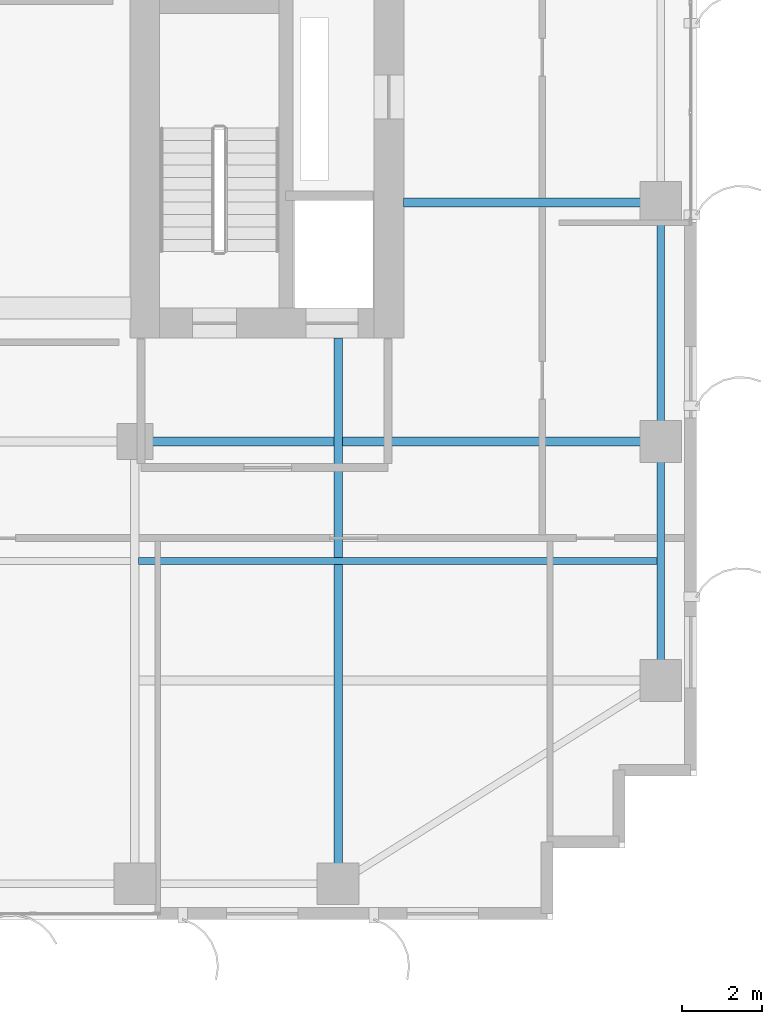
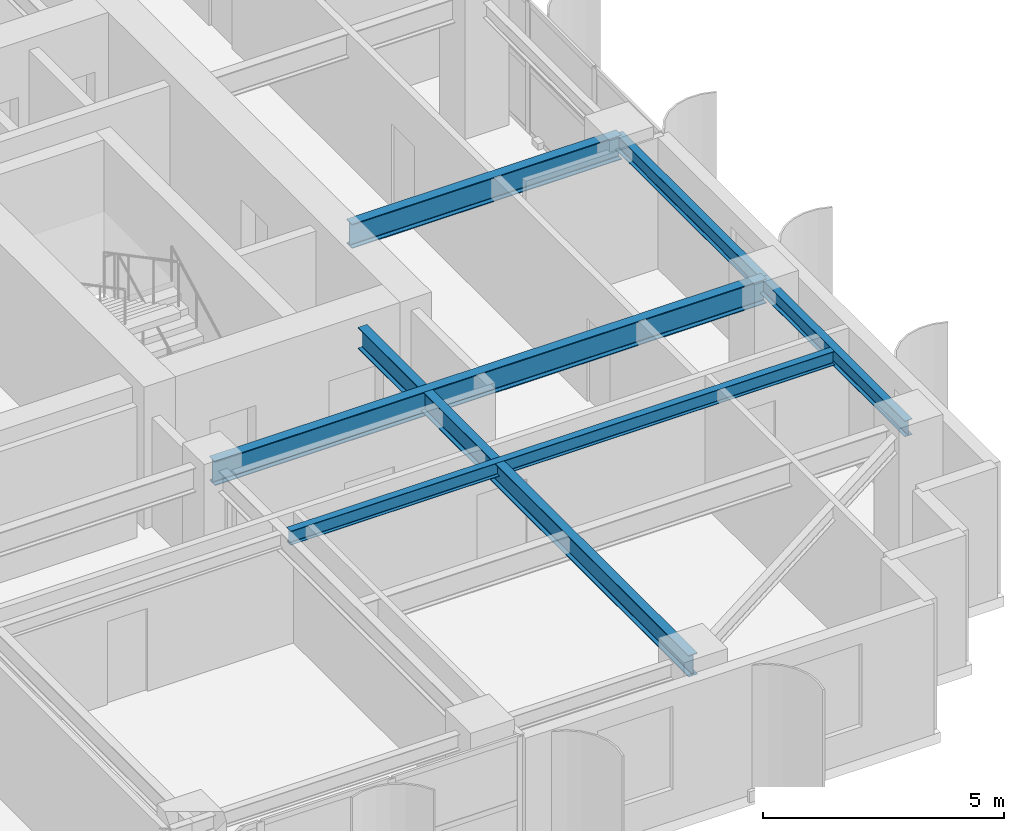
# One storey, part 10 of 22: 6 beams.
"""IFC4 building model written with IfcOpenShell, lengths in metres."""

from ifc_helpers import new_model, si_unit, direction, frame, origin, origin_2d, place, context, subcontext, project, spatial, i_section, extrude, source, transform, mapped, material, material_profile, profile_set, type_object, element, save


model = new_model("IFC4")

# Units and contexts
model_context = context("Model", 3, precision=1e-05, world=origin(), true_north=direction((0.0, 1.0)))
body_context = subcontext(model_context, "Body", "Model", "MODEL_VIEW")
ifc_project = project(units=[si_unit("LENGTHUNIT", "METRE"), si_unit("AREAUNIT", "SQUARE_METRE"), si_unit("VOLUMEUNIT", "CUBIC_METRE"), si_unit("PLANEANGLEUNIT", "RADIAN"), si_unit("MASSUNIT", "GRAM", prefix="KILO")], contexts=[model_context])

# Site, building, storey
site_placement = place(None, origin())
site = spatial("IfcSite", under=ifc_project, at=site_placement, CompositionType="ELEMENT")
building_placement = place(site_placement, origin())
building = spatial("IfcBuilding", under=site, at=building_placement, Name="Khoralis Quay Care Tower", CompositionType="ELEMENT")
storey_placement = place(building_placement, frame((0.0, 0.0, 141.300048828125)))
storey = spatial("IfcBuildingStorey", under=building, at=storey_placement, Name="L37", CompositionType="ELEMENT", Elevation=141.300048828125)

# Beams
ifc_material = material(Name="Steel S355", Category="steel")
ifc_material_profile_1 = material_profile(ifc_material, i_section(OverallWidth=0.179931640625, OverallDepth=0.39990234375, WebThickness=0.008544921875, FlangeThickness=0.013427734375, FilletRadius=0.02099609375, at=origin_2d()), Name="Steel S355")
ifc_profile_set_1 = profile_set([ifc_material_profile_1], Name="Steel S355")
beam_type_1 = type_object("IfcBeamType", Name="BM-IPE400", PredefinedType="SPANDREL", material=ifc_profile_set_1)
shared_shape_1 = source(origin(), body_context, "Body", "SweptSolid", [
    extrude(i_section(OverallWidth=0.179931640625, OverallDepth=0.39990234375, WebThickness=0.008544921875, FlangeThickness=0.013427734375, FilletRadius=0.02099609375, at=origin_2d()), origin(), (0.0, 0.0, 1.0), 6.0),
])
for number, where, z_axis, x_axis, name in (
    (1, (44.10009765625, 6.0, 3.119873046875), (0.0, 1.0, 0.0), (-1.0, 0.0, 0.0), "BM-TSP-L37-16"),
    (2, (44.10009765625, 12.0, 3.119873046875), (0.0, 1.0, 0.0), (-1.0, 0.0, 0.0), "BM-TSP-L37-17"),
):
    element("IfcBeam", number, at=place(storey_placement, frame(where, z_axis=z_axis, x_axis=x_axis)), inside=storey, type_object=beam_type_1, Name=name, PredefinedType="SPANDREL", context=body_context, shape_type="MappedRepresentation", body=[
        mapped(shared_shape_1, transform((0.0, 0.0, 0.0), scale=1.0)),
    ])
ifc_material_profile_2 = material_profile(ifc_material, i_section(OverallWidth=0.22998046875, OverallDepth=0.616943359375, WebThickness=0.01318359375, FlangeThickness=0.022216796875, FilletRadius=0.01806640625, at=origin_2d()), Name="Steel S355")
ifc_profile_set_2 = profile_set([ifc_material_profile_2], Name="Steel S355")
beam_type_2 = type_object("IfcBeamType", Name="BM-W610X140", PredefinedType="BEAM", material=ifc_profile_set_2)
shared_shape_2 = source(origin(), body_context, "Body", "SweptSolid", [
    extrude(i_section(OverallWidth=0.22998046875, OverallDepth=0.616943359375, WebThickness=0.01318359375, FlangeThickness=0.022216796875, FilletRadius=0.01806640625, at=origin_2d()), origin(), (0.0, 0.0, 1.0), 13.2001953125),
])
beam_1_placement = place(storey_placement, frame((30.89990234375, 12.0, 3.011474609375), z_axis=(1.0, 0.0, 0.0), x_axis=(0.0, 1.0, 0.0)))
element("IfcBeam", 3, at=beam_1_placement, inside=storey, type_object=beam_type_2, Name="BM-TGXE-L37-120", PredefinedType="BEAM", context=body_context, shape_type="MappedRepresentation", body=[
    mapped(shared_shape_2, transform((0.0, 0.0, 0.0), scale=1.0)),
])
shared_shape_3 = source(origin(), body_context, "Body", "SweptSolid", [
    extrude(i_section(OverallWidth=0.22998046875, OverallDepth=0.616943359375, WebThickness=0.01318359375, FlangeThickness=0.022216796875, FilletRadius=0.01806640625, at=origin_2d()), origin(), (0.0, 0.0, 1.0), 6.4521484375),
])
beam_2_placement = place(storey_placement, frame((37.64794921875, 18.0, 3.011474609375), z_axis=(1.0, 0.0, 0.0), x_axis=(0.0, 1.0, 0.0)))
element("IfcBeam", 4, at=beam_2_placement, inside=storey, type_object=beam_type_2, Name="BM-TGXE-L37-180", PredefinedType="BEAM", context=body_context, shape_type="MappedRepresentation", body=[
    mapped(shared_shape_3, transform((0.0, 0.0, 0.0), scale=1.0)),
])
ifc_material_profile_3 = material_profile(ifc_material, i_section(OverallWidth=0.2119140625, OverallDepth=0.5439453125, WebThickness=0.01318359375, FlangeThickness=0.021240234375, FilletRadius=0.01611328125, at=origin_2d()), Name="Steel S355")
ifc_profile_set_3 = profile_set([ifc_material_profile_3], Name="Steel S355")
beam_type_3 = type_object("IfcBeamType", Name="BM-W530X123", PredefinedType="BEAM", material=ifc_profile_set_3)
shared_shape_4 = source(origin(), body_context, "Body", "SweptSolid", [
    extrude(i_section(OverallWidth=0.2119140625, OverallDepth=0.5439453125, WebThickness=0.01318359375, FlangeThickness=0.021240234375, FilletRadius=0.01611328125, at=origin_2d()), origin(), (0.0, 0.0, 1.0), 13.7021484375),
])
beam_3_placement = place(storey_placement, frame((36.0, 0.89990234375, 3.0478515625), z_axis=(0.0, 1.0, 0.0), x_axis=(-1.0, 0.0, 0.0)))
element("IfcBeam", 5, at=beam_3_placement, inside=storey, type_object=beam_type_3, Name="BM-TGYS-L37-360", PredefinedType="BEAM", context=body_context, shape_type="MappedRepresentation", body=[
    mapped(shared_shape_4, transform((0.0, 0.0, 0.0), scale=1.0)),
])
ifc_material_profile_4 = material_profile(ifc_material, i_section(OverallWidth=0.1708984375, OverallDepth=0.35498046875, WebThickness=0.007080078125, FlangeThickness=0.01171875, FilletRadius=0.012939453125, at=origin_2d()), Name="Steel S355")
ifc_profile_set_4 = profile_set([ifc_material_profile_4], Name="Steel S355")
beam_type_4 = type_object("IfcBeamType", Name="BM-W360X51", PredefinedType="JOIST", material=ifc_profile_set_4)
shared_shape_5 = source(origin(), body_context, "Body", "SweptSolid", [
    extrude(i_section(OverallWidth=0.1708984375, OverallDepth=0.35498046875, WebThickness=0.007080078125, FlangeThickness=0.01171875, FilletRadius=0.012939453125, at=origin_2d()), origin(), (0.0, 0.0, 1.0), 13.030029296875),
])
beam_4_placement = place(storey_placement, frame((30.993896484375, 9.0, 3.142333984375), z_axis=(1.0, 0.0, 0.0), x_axis=(0.0, 1.0, 0.0)))
element("IfcBeam", 6, at=beam_4_placement, inside=storey, type_object=beam_type_4, Name="BM-TJS-L37-26", PredefinedType="JOIST", context=body_context, shape_type="MappedRepresentation", body=[
    mapped(shared_shape_5, transform((0.0, 0.0, 0.0), scale=1.0)),
])

save(model, "model.ifc")
